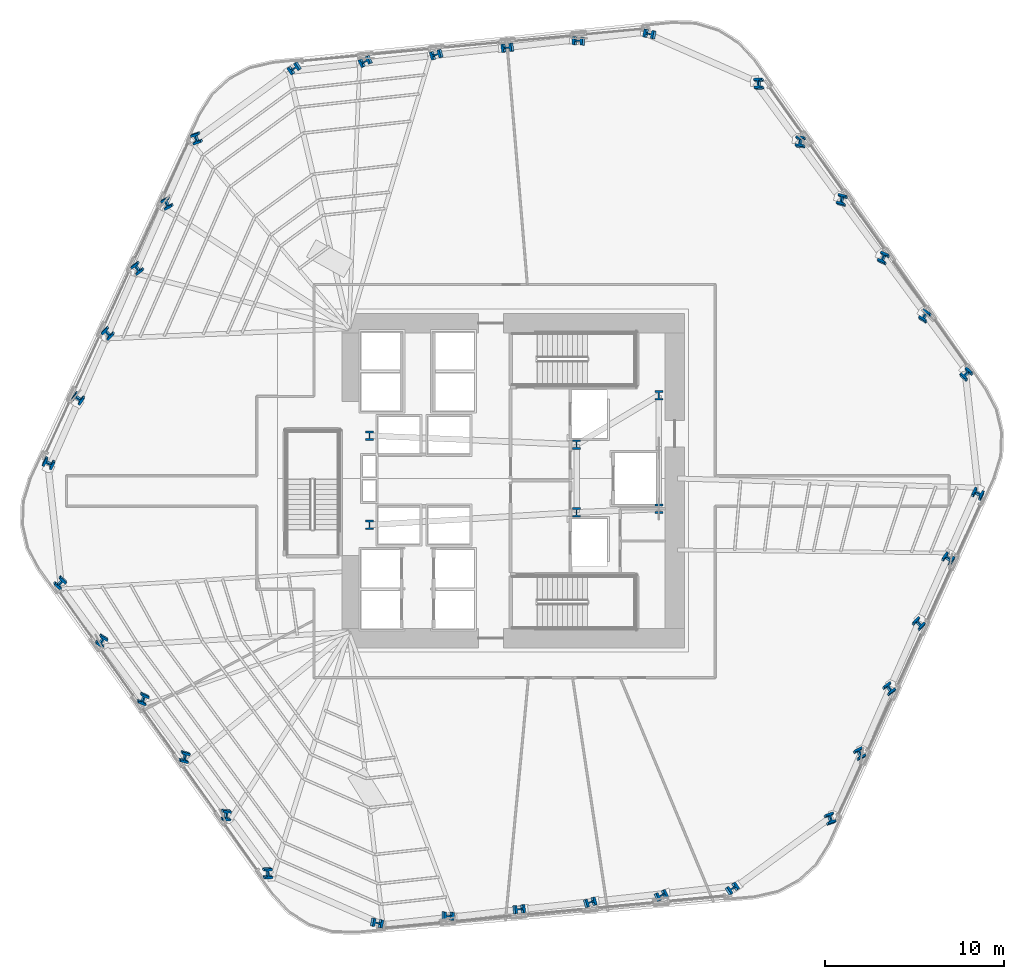
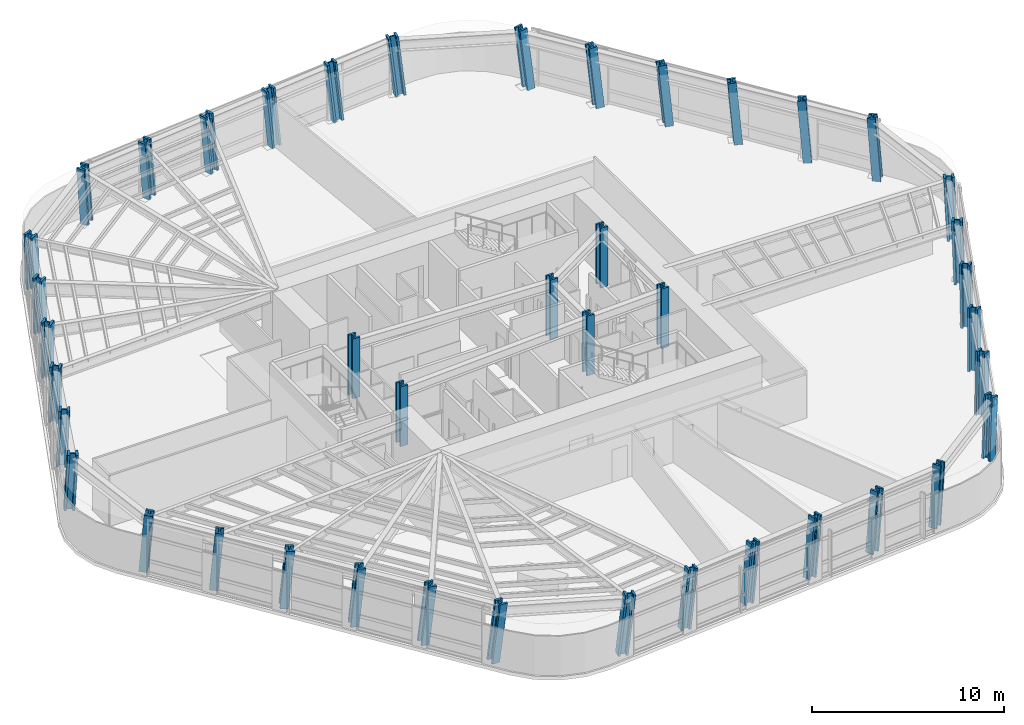
# One storey, part 1 of 16: 42 columns.
"""IFC4 building model written with IfcOpenShell, lengths in metres."""

from ifc_helpers import new_model, si_unit, direction, frame, origin, origin_2d, place, context, subcontext, project, spatial, i_section, extrude, material, material_profile, profile_set, type_object, element, save


model = new_model("IFC4")

# Units and contexts
model_context = context("Model", 3, precision=1e-05, world=origin(), true_north=direction((0.0, 1.0)))
body_context = subcontext(model_context, "Body", "Model", "MODEL_VIEW")
ifc_project = project(units=[si_unit("LENGTHUNIT", "METRE"), si_unit("AREAUNIT", "SQUARE_METRE"), si_unit("VOLUMEUNIT", "CUBIC_METRE"), si_unit("PLANEANGLEUNIT", "RADIAN"), si_unit("MASSUNIT", "GRAM", prefix="KILO")], contexts=[model_context])

# Site, building, storey
site_placement = place(None, origin())
site = spatial("IfcSite", under=ifc_project, at=site_placement, CompositionType="ELEMENT")
building_placement = place(site_placement, origin())
building = spatial("IfcBuilding", under=site, at=building_placement, Name="Valkerne Bourse Tower", CompositionType="ELEMENT")
storey_placement = place(building_placement, frame((0.0, 0.0, 46.800048828125)))
storey = spatial("IfcBuildingStorey", under=building, at=storey_placement, Name="L11", CompositionType="ELEMENT", Elevation=46.800048828125)

# Columns
ifc_material = material(Name="Steel ASTM A913 Grade 65", Category="steel")
ifc_material_profile_1 = material_profile(ifc_material, i_section(OverallWidth=0.44189453125, OverallDepth=0.531005859375, WebThickness=0.06591796875, FlangeThickness=0.105712890625, FilletRadius=0.030517578125, at=origin_2d()), Name="W14X605")
ifc_profile_set_1 = profile_set([ifc_material_profile_1], Name="Steel ASTM A913 Grade 65")
column_type_1 = type_object("IfcColumnType", Name="COL-W14X605", PredefinedType="COLUMN", material=ifc_profile_set_1)
for number, where, z_axis, x_axis, name in (
    (1, (38.75, 24.39990234375, 0.0048828125), (0.0, 0.0, 1.0), (1.0, 0.0, 0.0), "L11 Core Frame Column CC-SW"),
    (2, (38.75, 29.39990234375, 0.0048828125), (0.0, 0.0, 1.0), (1.0, 0.0, 0.0), "L11 Core Frame Column CC-NW"),
    (3, (50.35009765625, 25.10009765625, 0.0048828125), (0.0, 0.0, 1.0), (1.0, 0.0, 0.0), "L11 Core Frame Column CC-CE1"),
    (4, (50.35009765625, 28.89990234375, 0.0048828125), (0.0, 0.0, 1.0), (1.0, 0.0, 0.0), "L11 Core Frame Column CC-CE2"),
    (5, (54.949951171875, 25.300048828125, 0.0048828125), (0.0, 0.0, 1.0), (1.0, 0.0, 0.0), "L11 Core Frame Column CC-SE"),
    (6, (54.949951171875, 31.64990234375, 0.0048828125), (0.0, 0.0, 1.0), (1.0, 0.0, 0.0), "L11 Core Frame Column CC-NE"),
):
    element("IfcColumn", number, at=place(storey_placement, frame(where, z_axis=z_axis, x_axis=x_axis)), inside=storey, type_object=column_type_1, Name=name, PredefinedType="COLUMN", context=body_context, shape_type="SweptSolid", body=[
        extrude(i_section(OverallWidth=0.44189453125, OverallDepth=0.531005859375, WebThickness=0.06591796875, FlangeThickness=0.105712890625, FilletRadius=0.030517578125, at=origin_2d()), origin(), (0.0, 0.0, 1.0), 3.795166015625),
    ])
ifc_material_profile_2 = material_profile(ifc_material, i_section(OverallWidth=0.45458984375, OverallDepth=0.569091796875, WebThickness=0.077880859375, FlangeThickness=0.124755859375, FilletRadius=0.030517578125, at=origin_2d()), Name="W14X730")
ifc_profile_set_2 = profile_set([ifc_material_profile_2], Name="Steel ASTM A913 Grade 65")
column_type_2 = type_object("IfcColumnType", Name="COL-W14X730", PredefinedType="COLUMN", material=ifc_profile_set_2)
column_1_placement = place(storey_placement, frame((72.17626953125, 32.7783203125, 0.010009765625), z_axis=(-0.024651293464, 0.104639605067, 0.994204640294), x_axis=(0.749676058622, -0.655977791314, 0.087629586515)))
element("IfcColumn", 7, at=column_1_placement, inside=storey, type_object=column_type_2, Name="L11 Helical Perimeter Tube Column F1-C1", PredefinedType="COLUMN", context=body_context, shape_type="SweptSolid", body=[
    extrude(i_section(OverallWidth=0.45458984375, OverallDepth=0.569091796875, WebThickness=0.077880859375, FlangeThickness=0.124755859375, FilletRadius=0.030517578125, at=origin_2d()), origin(), (0.0, 0.0, 1.0), 3.802978515625),
])
column_2_placement = place(storey_placement, frame((69.861572265625, 36.035400390625, 0.010009765625), z_axis=(-0.038089098644, 0.094997937426, 0.994748517189), x_axis=(0.839428506653, -0.537028477508, 0.083427792515)))
element("IfcColumn", 8, at=column_2_placement, inside=storey, type_object=column_type_2, Name="L11 Helical Perimeter Tube Column F1-C2", PredefinedType="COLUMN", context=body_context, shape_type="SweptSolid", body=[
    extrude(i_section(OverallWidth=0.45458984375, OverallDepth=0.569091796875, WebThickness=0.077880859375, FlangeThickness=0.124755859375, FilletRadius=0.030517578125, at=origin_2d()), origin(), (0.0, 0.0, 1.0), 3.801025390625),
])
for number, where, z_axis, x_axis, name in (
    (9, (67.546630859375, 39.292724609375, 0.010009765625), (-0.051463122292, 0.085386378934, 0.995017946238), (0.914808791111, -0.395627201336, 0.081264957206), "L11 Helical Perimeter Tube Column F1-C3"),
    (10, (65.23193359375, 42.550048828125, 0.010009765625), (-0.064891085814, 0.075684850583, 0.995018065351), (0.967691762508, -0.238681413186, 0.081263988175), "L11 Helical Perimeter Tube Column F1-C4"),
):
    element("IfcColumn", number, at=place(storey_placement, frame(where, z_axis=z_axis, x_axis=x_axis)), inside=storey, type_object=column_type_2, Name=name, PredefinedType="COLUMN", context=body_context, shape_type="SweptSolid", body=[
        extrude(i_section(OverallWidth=0.45458984375, OverallDepth=0.569091796875, WebThickness=0.077880859375, FlangeThickness=0.124755859375, FilletRadius=0.030517578125, at=origin_2d()), origin(), (0.0, 0.0, 1.0), 3.800048828125),
    ])
column_3_placement = place(storey_placement, frame((62.9169921875, 45.807373046875, 0.010009765625), z_axis=(-0.078233730605, 0.065965551175, 0.994750234709), x_axis=(0.993312628444, -0.079825409377, 0.083414184598)))
element("IfcColumn", 11, at=column_3_placement, inside=storey, type_object=column_type_2, Name="L11 Helical Perimeter Tube Column F1-C5", PredefinedType="COLUMN", context=body_context, shape_type="SweptSolid", body=[
    extrude(i_section(OverallWidth=0.45458984375, OverallDepth=0.569091796875, WebThickness=0.077880859375, FlangeThickness=0.124755859375, FilletRadius=0.030517578125, at=origin_2d()), origin(), (0.0, 0.0, 1.0), 3.801025390625),
])
for number, where, z_axis, x_axis, name in (
    (12, (60.602294921875, 49.064453125, 0.010009765625), (-0.091607593474, 0.056299831448, 0.994202382715), (0.993744941578, 0.069203063687, 0.087646603266), "L11 Helical Perimeter Tube Column F1-C6"),
    (13, (54.48388671875, 51.86572265625, 0.010009765625), (-0.102906824786, 0.030942663473, 0.994209604153), (0.197072249103, 0.98033681036, -0.010112709194), "L11 Helical Perimeter Tube Column F2-C1"),
):
    element("IfcColumn", number, at=place(storey_placement, frame(where, z_axis=z_axis, x_axis=x_axis)), inside=storey, type_object=column_type_2, Name=name, PredefinedType="COLUMN", context=body_context, shape_type="SweptSolid", body=[
        extrude(i_section(OverallWidth=0.45458984375, OverallDepth=0.569091796875, WebThickness=0.077880859375, FlangeThickness=0.124755859375, FilletRadius=0.030517578125, at=origin_2d()), origin(), (0.0, 0.0, 1.0), 3.802978515625),
    ])
column_4_placement = place(storey_placement, frame((50.505859375, 51.489501953125, 0.010009765625), z_axis=(-0.101356298225, 0.014580405385, 0.994743340058), x_axis=(0.049095553274, 0.998747596479, -0.009636657928)))
element("IfcColumn", 14, at=column_4_placement, inside=storey, type_object=column_type_2, Name="L11 Helical Perimeter Tube Column F2-C2", PredefinedType="COLUMN", context=body_context, shape_type="SweptSolid", body=[
    extrude(i_section(OverallWidth=0.45458984375, OverallDepth=0.569091796875, WebThickness=0.077880859375, FlangeThickness=0.124755859375, FilletRadius=0.030517578125, at=origin_2d()), origin(), (0.0, 0.0, 1.0), 3.801025390625),
])
for number, where, z_axis, x_axis, name in (
    (15, (46.527587890625, 51.113525390625, 0.010009765625), (-0.099713452354, -0.001927450754, 0.995014327713), (-0.112862147035, 0.993566326898, -0.009385617769), "L11 Helical Perimeter Tube Column F2-C3"),
    (16, (42.54931640625, 50.737548828125, 0.010009765625), (-0.097979188127, -0.018375113314, 0.99501881083), (-0.275544414615, 0.961242562918, -0.009381407587), "L11 Helical Perimeter Tube Column F2-C4"),
):
    element("IfcColumn", number, at=place(storey_placement, frame(where, z_axis=z_axis, x_axis=x_axis)), inside=storey, type_object=column_type_2, Name=name, PredefinedType="COLUMN", context=body_context, shape_type="SweptSolid", body=[
        extrude(i_section(OverallWidth=0.45458984375, OverallDepth=0.569091796875, WebThickness=0.077880859375, FlangeThickness=0.124755859375, FilletRadius=0.030517578125, at=origin_2d()), origin(), (0.0, 0.0, 1.0), 3.800048828125),
    ])
column_5_placement = place(storey_placement, frame((38.571044921875, 50.361572265625, 0.010009765625), z_axis=(-0.09628222865, -0.034813187411, 0.994745080123), x_axis=(-0.426556551729, 0.904409571854, -0.00963506703)))
element("IfcColumn", 17, at=column_5_placement, inside=storey, type_object=column_type_2, Name="L11 Helical Perimeter Tube Column F2-C5", PredefinedType="COLUMN", context=body_context, shape_type="SweptSolid", body=[
    extrude(i_section(OverallWidth=0.45458984375, OverallDepth=0.569091796875, WebThickness=0.077880859375, FlangeThickness=0.124755859375, FilletRadius=0.030517578125, at=origin_2d()), origin(), (0.0, 0.0, 1.0), 3.801025390625),
])
for number, where, z_axis, x_axis, name in (
    (18, (34.5927734375, 49.9853515625, 0.010009765625), (-0.094560707619, -0.051164211794, 0.994203447995), (-0.556056683228, 0.83108278152, -0.010118067897), "L11 Helical Perimeter Tube Column F2-C6"),
    (19, (29.107666015625, 46.08740234375, 0.010009765625), (-0.078255096706, -0.073697170647, 0.994205646171), (-0.943476237682, -0.31670150195, -0.097738158325), "L11 Helical Perimeter Tube Column F3-C1"),
):
    element("IfcColumn", number, at=place(storey_placement, frame(where, z_axis=z_axis, x_axis=x_axis)), inside=storey, type_object=column_type_2, Name=name, PredefinedType="COLUMN", context=body_context, shape_type="SweptSolid", body=[
        extrude(i_section(OverallWidth=0.45458984375, OverallDepth=0.569091796875, WebThickness=0.077880859375, FlangeThickness=0.124755859375, FilletRadius=0.030517578125, at=origin_2d()), origin(), (0.0, 0.0, 1.0), 3.802978515625),
    ])
column_6_placement = place(storey_placement, frame((27.444091796875, 42.4541015625, 0.010009765625), z_axis=(-0.063203603456, -0.08048182432, 0.994750210085), x_axis=(-0.886013773698, -0.454227108818, -0.093044754999)))
element("IfcColumn", 20, at=column_6_placement, inside=storey, type_object=column_type_2, Name="L11 Helical Perimeter Tube Column F3-C2", PredefinedType="COLUMN", context=body_context, shape_type="SweptSolid", body=[
    extrude(i_section(OverallWidth=0.45458984375, OverallDepth=0.569091796875, WebThickness=0.077880859375, FlangeThickness=0.124755859375, FilletRadius=0.030517578125, at=origin_2d()), origin(), (0.0, 0.0, 1.0), 3.801025390625),
])
for number, where, z_axis, x_axis, name in (
    (21, (25.78076171875, 38.82080078125, 0.010009765625), (-0.048186561251, -0.087249800238, 0.995020365457), (-0.801783316277, -0.590703464627, -0.090625220648), "L11 Helical Perimeter Tube Column F3-C3"),
    (22, (24.1171875, 35.1875, 0.010009765625), (-0.033087978574, -0.094059807054, 0.995016551807), (-0.692911724065, -0.715300033469, -0.09065982998), "L11 Helical Perimeter Tube Column F3-C4"),
):
    element("IfcColumn", number, at=place(storey_placement, frame(where, z_axis=z_axis, x_axis=x_axis)), inside=storey, type_object=column_type_2, Name=name, PredefinedType="COLUMN", context=body_context, shape_type="SweptSolid", body=[
        extrude(i_section(OverallWidth=0.45458984375, OverallDepth=0.569091796875, WebThickness=0.077880859375, FlangeThickness=0.124755859375, FilletRadius=0.030517578125, at=origin_2d()), origin(), (0.0, 0.0, 1.0), 3.800048828125),
    ])
column_7_placement = place(storey_placement, frame((22.453857421875, 31.55419921875, 0.010009765625), z_axis=(-0.018048905037, -0.100778405705, 0.994745168357), x_axis=(-0.569208079838, -0.816906691796, -0.093089305215)))
element("IfcColumn", 23, at=column_7_placement, inside=storey, type_object=column_type_2, Name="L11 Helical Perimeter Tube Column F3-C5", PredefinedType="COLUMN", context=body_context, shape_type="SweptSolid", body=[
    extrude(i_section(OverallWidth=0.45458984375, OverallDepth=0.569091796875, WebThickness=0.077880859375, FlangeThickness=0.124755859375, FilletRadius=0.030517578125, at=origin_2d()), origin(), (0.0, 0.0, 1.0), 3.801025390625),
])
for number, where, z_axis, x_axis, name in (
    (24, (20.790283203125, 27.9208984375, 0.010009765625), (-0.00288882378, -0.107464244623, 0.994204752968), (-0.440421875093, -0.892454119866, -0.097745669338), "L11 Helical Perimeter Tube Column F3-C6"),
    (25, (21.423583984375, 21.2216796875, 0.010009765625), (0.024715450377, -0.104639439258, 0.994203064904), (0.750056864192, -0.655540749837, -0.087641461545), "L11 Helical Perimeter Tube Column F4-C1"),
):
    element("IfcColumn", number, at=place(storey_placement, frame(where, z_axis=z_axis, x_axis=x_axis)), inside=storey, type_object=column_type_2, Name=name, PredefinedType="COLUMN", context=body_context, shape_type="SweptSolid", body=[
        extrude(i_section(OverallWidth=0.45458984375, OverallDepth=0.569091796875, WebThickness=0.077880859375, FlangeThickness=0.124755859375, FilletRadius=0.030517578125, at=origin_2d()), origin(), (0.0, 0.0, 1.0), 3.802978515625),
    ])
column_8_placement = place(storey_placement, frame((23.738525390625, 17.964599609375, 0.010009765625), z_axis=(0.038089098644, -0.094997937426, 0.994748517189), x_axis=(0.839428506653, -0.537028477508, -0.083427792515)))
element("IfcColumn", 26, at=column_8_placement, inside=storey, type_object=column_type_2, Name="L11 Helical Perimeter Tube Column F4-C2", PredefinedType="COLUMN", context=body_context, shape_type="SweptSolid", body=[
    extrude(i_section(OverallWidth=0.45458984375, OverallDepth=0.569091796875, WebThickness=0.077880859375, FlangeThickness=0.124755859375, FilletRadius=0.030517578125, at=origin_2d()), origin(), (0.0, 0.0, 1.0), 3.801025390625),
])
column_9_placement = place(storey_placement, frame((26.05322265625, 14.707275390625, 0.010009765625), z_axis=(0.051463122292, -0.085386378934, 0.995017946238), x_axis=(0.914808791111, -0.395627201336, -0.081264957206)))
element("IfcColumn", 27, at=column_9_placement, inside=storey, type_object=column_type_2, Name="L11 Helical Perimeter Tube Column F4-C3", PredefinedType="COLUMN", context=body_context, shape_type="SweptSolid", body=[
    extrude(i_section(OverallWidth=0.45458984375, OverallDepth=0.569091796875, WebThickness=0.077880859375, FlangeThickness=0.124755859375, FilletRadius=0.030517578125, at=origin_2d()), origin(), (0.0, 0.0, 1.0), 3.800048828125),
])
column_10_placement = place(storey_placement, frame((28.3681640625, 11.449951171875, 0.010009765625), z_axis=(0.064827107356, -0.075685165971, 0.995022211714), x_axis=(0.967577022207, -0.239157589985, -0.081230248364)))
element("IfcColumn", 28, at=column_10_placement, inside=storey, type_object=column_type_2, Name="L11 Helical Perimeter Tube Column F4-C4", PredefinedType="COLUMN", context=body_context, shape_type="SweptSolid", body=[
    extrude(i_section(OverallWidth=0.45458984375, OverallDepth=0.569091796875, WebThickness=0.077880859375, FlangeThickness=0.124755859375, FilletRadius=0.030517578125, at=origin_2d()), origin(), (0.0, 0.0, 1.0), 3.7998046875),
])
column_11_placement = place(storey_placement, frame((30.682861328125, 8.192626953125, 0.010009765625), z_axis=(0.078233730605, -0.065965551175, 0.994750234709), x_axis=(0.993312628444, -0.079825409377, -0.083414184598)))
element("IfcColumn", 29, at=column_11_placement, inside=storey, type_object=column_type_2, Name="L11 Helical Perimeter Tube Column F4-C5", PredefinedType="COLUMN", context=body_context, shape_type="SweptSolid", body=[
    extrude(i_section(OverallWidth=0.45458984375, OverallDepth=0.569091796875, WebThickness=0.077880859375, FlangeThickness=0.124755859375, FilletRadius=0.030517578125, at=origin_2d()), origin(), (0.0, 0.0, 1.0), 3.801025390625),
])
for number, where, z_axis, x_axis, name in (
    (30, (32.997802734375, 4.935546875, 0.010009765625), (0.091543935711, -0.056300162425, 0.994208227458), (0.993770595366, 0.068889756858, -0.087602540985), "L11 Helical Perimeter Tube Column F4-C6"),
    (31, (39.115966796875, 2.13427734375, 0.010009765625), (0.102970340726, -0.030942458996, 0.994203034175), (0.196904293194, 0.980370499728, 0.01011842801), "L11 Helical Perimeter Tube Column F5-C1"),
):
    element("IfcColumn", number, at=place(storey_placement, frame(where, z_axis=z_axis, x_axis=x_axis)), inside=storey, type_object=column_type_2, Name=name, PredefinedType="COLUMN", context=body_context, shape_type="SweptSolid", body=[
        extrude(i_section(OverallWidth=0.45458984375, OverallDepth=0.569091796875, WebThickness=0.077880859375, FlangeThickness=0.124755859375, FilletRadius=0.030517578125, at=origin_2d()), origin(), (0.0, 0.0, 1.0), 3.802978515625),
    ])
column_12_placement = place(storey_placement, frame((43.09423828125, 2.510498046875, 0.010009765625), z_axis=(0.101356298225, -0.014580405385, 0.994743340058), x_axis=(0.049095553274, 0.998747596479, 0.009636657928)))
element("IfcColumn", 32, at=column_12_placement, inside=storey, type_object=column_type_2, Name="L11 Helical Perimeter Tube Column F5-C2", PredefinedType="COLUMN", context=body_context, shape_type="SweptSolid", body=[
    extrude(i_section(OverallWidth=0.45458984375, OverallDepth=0.569091796875, WebThickness=0.077880859375, FlangeThickness=0.124755859375, FilletRadius=0.030517578125, at=origin_2d()), origin(), (0.0, 0.0, 1.0), 3.801025390625),
])
for number, where, z_axis, x_axis, name in (
    (33, (47.072509765625, 2.886474609375, 0.010009765625), (0.099649842191, 0.001927463098, 0.995020700205), (-0.112875124669, 0.993564909164, 0.009379632665), "L11 Helical Perimeter Tube Column F5-C3"),
    (34, (51.05078125, 3.262451171875, 0.010009765625), (0.097979188127, 0.018375113314, 0.99501881083), (-0.275544414615, 0.961242562918, 0.009381407587), "L11 Helical Perimeter Tube Column F5-C4"),
):
    element("IfcColumn", number, at=place(storey_placement, frame(where, z_axis=z_axis, x_axis=x_axis)), inside=storey, type_object=column_type_2, Name=name, PredefinedType="COLUMN", context=body_context, shape_type="SweptSolid", body=[
        extrude(i_section(OverallWidth=0.45458984375, OverallDepth=0.569091796875, WebThickness=0.077880859375, FlangeThickness=0.124755859375, FilletRadius=0.030517578125, at=origin_2d()), origin(), (0.0, 0.0, 1.0), 3.800048828125),
    ])
column_13_placement = place(storey_placement, frame((55.029052734375, 3.638427734375, 0.010009765625), z_axis=(0.09628222865, 0.034813187411, 0.994745080123), x_axis=(-0.426556551729, 0.904409571854, 0.00963506703)))
element("IfcColumn", 35, at=column_13_placement, inside=storey, type_object=column_type_2, Name="L11 Helical Perimeter Tube Column F5-C5", PredefinedType="COLUMN", context=body_context, shape_type="SweptSolid", body=[
    extrude(i_section(OverallWidth=0.45458984375, OverallDepth=0.569091796875, WebThickness=0.077880859375, FlangeThickness=0.124755859375, FilletRadius=0.030517578125, at=origin_2d()), origin(), (0.0, 0.0, 1.0), 3.801025390625),
])
for number, where, z_axis, x_axis, name in (
    (36, (59.00732421875, 4.0146484375, 0.010009765625), (0.094497085063, 0.05116452228, 0.994209481233), (-0.556293429432, 0.830924395669, 0.010112816218), "L11 Helical Perimeter Tube Column F5-C6"),
    (37, (64.4921875, 7.91259765625, 0.010009765625), (0.078255096706, 0.073697170647, 0.994205646171), (-0.943476237682, -0.31670150195, 0.097738158325), "L11 Helical Perimeter Tube Column F6-C1"),
):
    element("IfcColumn", number, at=place(storey_placement, frame(where, z_axis=z_axis, x_axis=x_axis)), inside=storey, type_object=column_type_2, Name=name, PredefinedType="COLUMN", context=body_context, shape_type="SweptSolid", body=[
        extrude(i_section(OverallWidth=0.45458984375, OverallDepth=0.569091796875, WebThickness=0.077880859375, FlangeThickness=0.124755859375, FilletRadius=0.030517578125, at=origin_2d()), origin(), (0.0, 0.0, 1.0), 3.802978515625),
    ])
column_14_placement = place(storey_placement, frame((66.15576171875, 11.5458984375, 0.010009765625), z_axis=(0.063203603456, 0.08048182432, 0.994750210085), x_axis=(-0.886013773698, -0.454227108818, 0.093044754999)))
element("IfcColumn", 38, at=column_14_placement, inside=storey, type_object=column_type_2, Name="L11 Helical Perimeter Tube Column F6-C2", PredefinedType="COLUMN", context=body_context, shape_type="SweptSolid", body=[
    extrude(i_section(OverallWidth=0.45458984375, OverallDepth=0.569091796875, WebThickness=0.077880859375, FlangeThickness=0.124755859375, FilletRadius=0.030517578125, at=origin_2d()), origin(), (0.0, 0.0, 1.0), 3.801025390625),
])
for number, where, z_axis, x_axis, name in (
    (39, (67.819091796875, 15.17919921875, 0.010009765625), (0.048186561251, 0.087249800238, 0.995020365457), (-0.801783316277, -0.590703464627, 0.090625220648), "L11 Helical Perimeter Tube Column F6-C3"),
    (40, (69.482666015625, 18.8125, 0.010009765625), (0.033087978574, 0.094059807054, 0.995016551807), (-0.692911724065, -0.715300033469, 0.09065982998), "L11 Helical Perimeter Tube Column F6-C4"),
):
    element("IfcColumn", number, at=place(storey_placement, frame(where, z_axis=z_axis, x_axis=x_axis)), inside=storey, type_object=column_type_2, Name=name, PredefinedType="COLUMN", context=body_context, shape_type="SweptSolid", body=[
        extrude(i_section(OverallWidth=0.45458984375, OverallDepth=0.569091796875, WebThickness=0.077880859375, FlangeThickness=0.124755859375, FilletRadius=0.030517578125, at=origin_2d()), origin(), (0.0, 0.0, 1.0), 3.800048828125),
    ])
column_15_placement = place(storey_placement, frame((71.14599609375, 22.44580078125, 0.010009765625), z_axis=(0.018048905037, 0.100778405705, 0.994745168357), x_axis=(-0.569208079838, -0.816906691796, 0.093089305215)))
element("IfcColumn", 41, at=column_15_placement, inside=storey, type_object=column_type_2, Name="L11 Helical Perimeter Tube Column F6-C5", PredefinedType="COLUMN", context=body_context, shape_type="SweptSolid", body=[
    extrude(i_section(OverallWidth=0.45458984375, OverallDepth=0.569091796875, WebThickness=0.077880859375, FlangeThickness=0.124755859375, FilletRadius=0.030517578125, at=origin_2d()), origin(), (0.0, 0.0, 1.0), 3.801025390625),
])
column_16_placement = place(storey_placement, frame((72.8095703125, 26.0791015625, 0.010009765625), z_axis=(0.00295301931, 0.107464224472, 0.994204566543), x_axis=(-0.440954525067, -0.892190890166, 0.097747236927)))
element("IfcColumn", 42, at=column_16_placement, inside=storey, type_object=column_type_2, Name="L11 Helical Perimeter Tube Column F6-C6", PredefinedType="COLUMN", context=body_context, shape_type="SweptSolid", body=[
    extrude(i_section(OverallWidth=0.45458984375, OverallDepth=0.569091796875, WebThickness=0.077880859375, FlangeThickness=0.124755859375, FilletRadius=0.030517578125, at=origin_2d()), origin(), (0.0, 0.0, 1.0), 3.802978515625),
])

save(model, "model.ifc")
